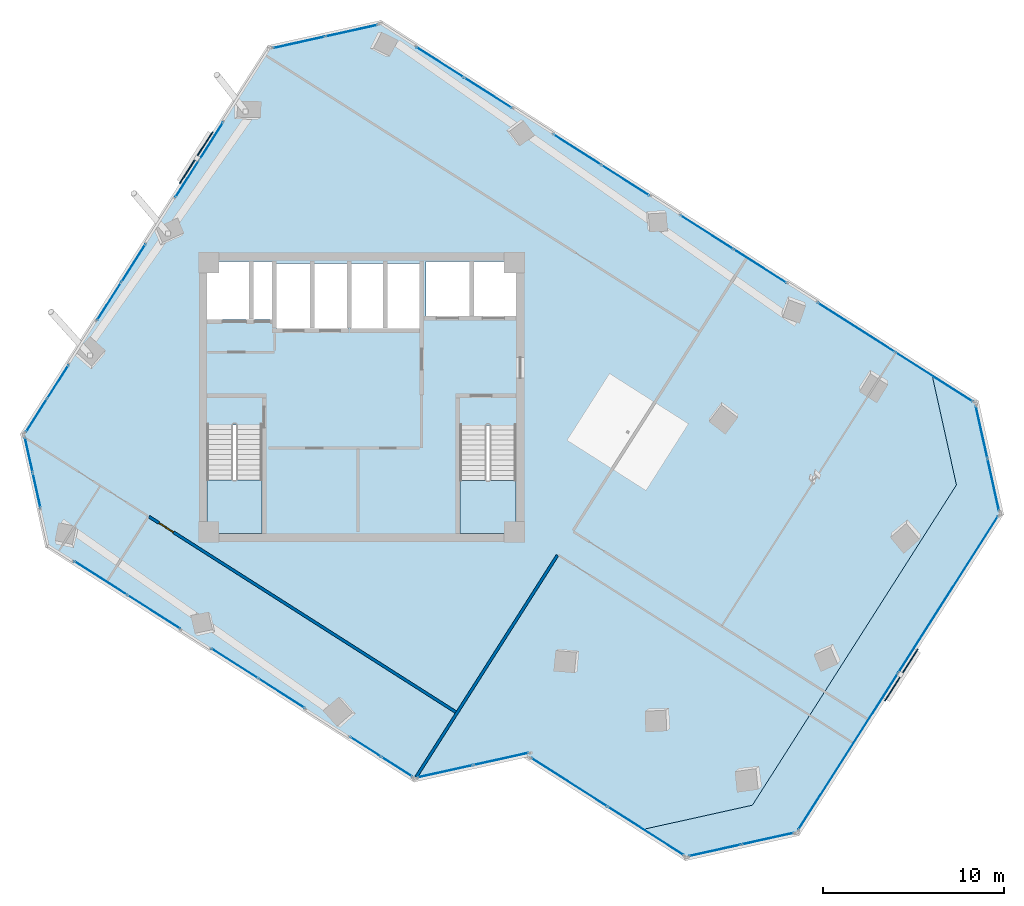
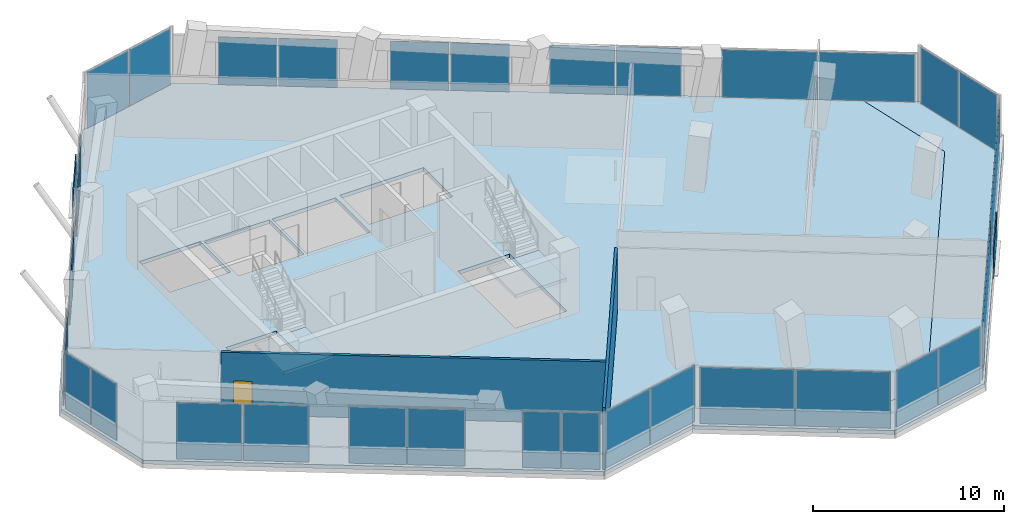
# One storey, part 17 of 24: 36 plates, 4 slabs, 2 walls, 1 door, 1 opening, 19 elements without a shape of their own.
"""IFC4 building model written with IfcOpenShell, lengths in metres."""

from ifc_helpers import new_model, si_unit, direction, frame, frame_2d, origin, origin_2d, place, context, subcontext, project, spatial, polyline, rectangle, outline, extrude, source, transform, mapped, material, layer, layer_set, type_object, element, fill, aggregate, save


model = new_model("IFC4")

# Units and contexts
model_context = context("Model", 3, precision=1e-05, world=origin(), true_north=direction((0.0, 1.0)))
body_context = subcontext(model_context, "Body", "Model", "MODEL_VIEW")
ifc_project = project(units=[si_unit("LENGTHUNIT", "METRE"), si_unit("AREAUNIT", "SQUARE_METRE"), si_unit("VOLUMEUNIT", "CUBIC_METRE"), si_unit("PLANEANGLEUNIT", "RADIAN"), si_unit("MASSUNIT", "GRAM", prefix="KILO")], contexts=[model_context])

# Site, building, storey
site_placement = place(None, origin())
site = spatial("IfcSite", under=ifc_project, at=site_placement, CompositionType="ELEMENT")
building_placement = place(site_placement, origin())
building = spatial("IfcBuilding", under=site, at=building_placement, Name="Torre Montelarca", CompositionType="ELEMENT")
storey_placement = place(building_placement, frame((0.0, 0.0, 191.800048828125)))
storey = spatial("IfcBuildingStorey", under=building, at=storey_placement, Name="L43", CompositionType="ELEMENT", Elevation=191.800048828125)

# Slabs
ifc_material_1 = material(Name="Concrete C40/50", Category="concrete")
ifc_layer_1 = layer(ifc_material_1, 0.239990234375, Name="Concrete C40/50", Category="concrete")
ifc_layer_set_1 = layer_set([ifc_layer_1], Name="Concrete C40/50")
slab_type_1 = type_object("IfcSlabType", Name="SL-FLR-240", PredefinedType="FLOOR", material=ifc_layer_set_1)
slab_1_placement = place(storey_placement, frame((0.0, 0.0, -0.239990234375)))
element("IfcSlab", 1, at=slab_1_placement, inside=storey, type_object=slab_type_1, Name="L43 Structural Floor Slab", PredefinedType="FLOOR", context=body_context, shape_type="SweptSolid", body=[
    extrude(outline(polyline([(20.9140625, 10.793701171875), (27.127197265625, 12.171142578125), (27.073486328125, 12.0869140625), (33.39892578125, 8.056884765625), (39.612060546875, 9.4345703125), (50.895263671875, 27.145751953125), (49.517822265625, 33.35888671875), (19.071533203125, 52.75537109375), (12.8583984375, 51.3779296875), (-0.7890625, 29.955810546875), (0.58837890625, 23.74267578125), (20.9140625, 10.793701171875)]), holes=[polyline([(26.550048828125, 24.449951171875), (23.43994140625, 24.449951171875), (23.43994140625, 30.429931640625), (26.550048828125, 30.429931640625), (26.550048828125, 24.449951171875)]), polyline([(9.449951171875, 24.449951171875), (9.449951171875, 30.4599609375), (12.5, 30.4599609375), (12.5, 24.449951171875), (9.449951171875, 24.449951171875)]), polyline([(17.25, 35.800048828125), (13.300048828125, 35.800048828125), (13.300048828125, 39.39990234375), (17.25, 39.39990234375), (17.25, 35.800048828125)]), polyline([(21.25, 39.39990234375), (21.25, 35.800048828125), (17.39990234375, 35.800048828125), (17.39990234375, 39.39990234375), (21.25, 39.39990234375)]), polyline([(13.1201171875, 36.300048828125), (9.449951171875, 36.300048828125), (9.449951171875, 39.5), (13.1201171875, 39.5), (13.1201171875, 36.300048828125)]), polyline([(26.60009765625, 36.449951171875), (21.550048828125, 36.449951171875), (21.550048828125, 39.5), (26.60009765625, 39.5), (26.60009765625, 36.449951171875)])]), origin(), (0.0, 0.0, 1.0), 0.239990234375),
])
slab_2_placement = place(storey_placement, frame((0.0, 0.0, -0.239990234375)))
element("IfcSlab", 2, at=slab_2_placement, inside=storey, type_object=slab_type_1, Name="L43 Sliding Tray Winter Garden Floor Slab E1", PredefinedType="FLOOR", context=body_context, shape_type="SweptSolid", body=[
    extrude(outline(polyline([(49.517822265625, 33.35888671875), (50.895263671875, 27.145751953125), (39.612060546875, 9.4345703125), (33.39892578125, 8.056884765625), (35.92919921875, 6.445068359375), (42.14208984375, 7.822509765625), (53.425537109375, 25.53369140625), (52.048095703125, 31.746826171875), (49.517822265625, 33.35888671875)])), origin(), (0.0, 0.0, 1.0), 0.239990234375),
])

# Stair, slab
stair_type_1 = type_object("IfcStairType", Name="ST-CORE-ST1", PredefinedType="HALF_TURN_STAIR", material=ifc_material_1)
stair_1_placement = place(storey_placement, origin())
stair_1 = element("IfcStair", 3, at=stair_1_placement, inside=storey, type_object=stair_type_1, Name="L43 Protected Exit Stair ST1", PredefinedType="HALF_TURN_STAIR")
ifc_layer_2 = layer(ifc_material_1, 0.199951171875, Name="Concrete C40/50", Category="concrete")
ifc_layer_set_2 = layer_set([ifc_layer_2], Name="Concrete C40/50")
slab_type_2 = type_object("IfcSlabType", Name="SL-ST-LAND-ST1", PredefinedType="LANDING", material=ifc_layer_set_2)
slab_3_placement = place(storey_placement, frame((0.0, 0.0, 1.89990234375)))
slab_3 = element("IfcSlab", 4, at=slab_3_placement, type_object=slab_type_2, Name="ST1 landing 1", PredefinedType="LANDING", context=body_context, shape_type="SweptSolid", body=[
    extrude(outline(polyline([(9.449951171875, 27.419921875), (9.449951171875, 24.449951171875), (12.5, 24.449951171875), (12.5, 27.419921875), (9.449951171875, 27.419921875)])), origin(), (0.0, 0.0, 1.0), 0.199951171875),
])
aggregate(stair_1, [slab_3])

stair_type_2 = type_object("IfcStairType", Name="ST-CORE-ST2", PredefinedType="HALF_TURN_STAIR", material=ifc_material_1)
stair_2_placement = place(storey_placement, origin())
stair_2 = element("IfcStair", 5, at=stair_2_placement, inside=storey, type_object=stair_type_2, Name="L43 Protected Exit Stair ST2", PredefinedType="HALF_TURN_STAIR")
ifc_layer_3 = layer(ifc_material_1, 0.199951171875, Name="Concrete C40/50", Category="concrete")
ifc_layer_set_3 = layer_set([ifc_layer_3], Name="Concrete C40/50")
slab_type_3 = type_object("IfcSlabType", Name="SL-ST-LAND-ST2", PredefinedType="LANDING", material=ifc_layer_set_3)
slab_4_placement = place(storey_placement, frame((0.0, 0.0, 1.89990234375)))
slab_4 = element("IfcSlab", 6, at=slab_4_placement, type_object=slab_type_3, Name="ST2 landing 1", PredefinedType="LANDING", context=body_context, shape_type="SweptSolid", body=[
    extrude(outline(polyline([(23.43994140625, 27.389892578125), (23.43994140625, 24.449951171875), (26.550048828125, 24.449951171875), (26.550048828125, 27.389892578125), (23.43994140625, 27.389892578125)])), origin(), (0.0, 0.0, 1.0), 0.199951171875),
])
aggregate(stair_2, [slab_4])

# Plates
ifc_material_2 = material(Name="Architectural perforated terracotta ceramic", Category="masonry")
ifc_layer_4 = layer(ifc_material_2, 0.074951171875, Name="Architectural perforated terracotta ceramic", Category="masonry")
ifc_layer_set_4 = layer_set([ifc_layer_4], Name="Architectural perforated terracotta ceramic")
plate_type_1 = type_object("IfcPlateType", Name="SCR-CER-75", PredefinedType="USERDEFINED", material=ifc_layer_set_4)
shared_shape_1 = source(origin(), body_context, "Body", "SweptSolid", [
    extrude(rectangle(XDim=3.39990234375, YDim=0.06005859375, at=origin_2d()), origin(), (0.0, 0.0, 1.0), 1.89990234375),
])
for number, where, z_axis, x_axis, name in (
    (7, (47.851318359375, 16.63525390625, 0.5), (0.0, 0.0, 1.0), (0.537299608347, 0.843391445813, 0.0), "L43 Perforated Ceramic Brise-Soleil Screen E6-1"),
    (8, (8.851318359375, 45.23681640625, 0.5), (0.0, 0.0, 1.0), (-0.53729813635, -0.843392383576, 0.0), "L43 Perforated Ceramic Brise-Soleil Screen E10-1"),
):
    element("IfcPlate", number, at=place(storey_placement, frame(where, z_axis=z_axis, x_axis=x_axis)), inside=storey, type_object=plate_type_1, Name=name, ObjectType="SOLAR SCREEN", PredefinedType="USERDEFINED", context=body_context, shape_type="MappedRepresentation", body=[
        mapped(shared_shape_1, transform((0.0, 0.0, 0.0), scale=1.0)),
    ])

# Curtain wall, plates
ifc_material_3 = material(Name="Insulated low-E laminated glass", Category="glass")
curtain_wall_type = type_object("IfcCurtainWallType", Name="CW-SYS-Z2", PredefinedType="USERDEFINED", material=ifc_material_3)
curtain_wall_1_placement = place(storey_placement, origin())
curtain_wall_1 = element("IfcCurtainWall", 9, at=curtain_wall_1_placement, inside=storey, type_object=curtain_wall_type, Name="L43 Curtain Wall Run CW-T3-L43-E05-B1", ObjectType="UNITISED GLAZING", PredefinedType="USERDEFINED")
ifc_layer_5 = layer(ifc_material_3, 0.031982421875, Name="Insulated low-E laminated glass", Category="glass")
ifc_layer_set_5 = layer_set([ifc_layer_5], Name="Insulated low-E laminated glass")
plate_type_2 = type_object("IfcPlateType", Name="CWP-GLZ-32", PredefinedType="CURTAIN_PANEL", material=ifc_layer_set_5)
shared_shape_2 = source(origin(), body_context, "Body", "SweptSolid", [
    extrude(rectangle(XDim=2.918701171875, YDim=0.031982421875, at=origin_2d()), origin(), (0.0, 0.0, 1.0), 3.590087890625),
])
plate_1_placement = place(storey_placement, frame((37.551025390625, 6.93798828125, 0.06494140625), z_axis=(0.0, 0.0, 1.0), x_axis=(0.976290701569, 0.216463544344, 0.0)))
plate_1 = element("IfcPlate", 10, at=plate_1_placement, type_object=plate_type_2, Name="CW panel 1.1", PredefinedType="CURTAIN_PANEL", context=body_context, shape_type="MappedRepresentation", body=[
    mapped(shared_shape_2, transform((0.0, 0.0, 0.0), scale=1.0)),
])
plate_2_placement = place(storey_placement, frame((40.4638671875, 7.583740234375, 0.06494140625), z_axis=(0.0, 0.0, 1.0), x_axis=(0.976290701569, 0.216463544344, 0.0)))
plate_2 = element("IfcPlate", 11, at=plate_2_placement, type_object=plate_type_2, Name="CW panel 2.1", PredefinedType="CURTAIN_PANEL", context=body_context, shape_type="MappedRepresentation", body=[
    mapped(shared_shape_2, transform((0.0, 0.0, 0.0), scale=1.0)),
])
aggregate(curtain_wall_1, [plate_1, plate_2])

curtain_wall_2_placement = place(storey_placement, origin())
curtain_wall_2 = element("IfcCurtainWall", 12, at=curtain_wall_2_placement, inside=storey, type_object=curtain_wall_type, Name="L43 Curtain Wall Run CW-T3-L43-E07-B1", ObjectType="UNITISED GLAZING", PredefinedType="USERDEFINED")
plate_3_placement = place(storey_placement, frame((52.932861328125, 27.15576171875, 0.06494140625), z_axis=(0.0, 0.0, 1.0), x_axis=(-0.216447743923, 0.97629420471, 0.0)))
plate_3 = element("IfcPlate", 13, at=plate_3_placement, type_object=plate_type_2, Name="CW panel 1.1", PredefinedType="CURTAIN_PANEL", context=body_context, shape_type="MappedRepresentation", body=[
    mapped(shared_shape_2, transform((0.0, 0.0, 0.0), scale=1.0)),
])
plate_4_placement = place(storey_placement, frame((52.286865234375, 30.068603515625, 0.06494140625), z_axis=(0.0, 0.0, 1.0), x_axis=(-0.216447743923, 0.97629420471, 0.0)))
plate_4 = element("IfcPlate", 14, at=plate_4_placement, type_object=plate_type_2, Name="CW panel 2.1", PredefinedType="CURTAIN_PANEL", context=body_context, shape_type="MappedRepresentation", body=[
    mapped(shared_shape_2, transform((0.0, 0.0, 0.0), scale=1.0)),
])
aggregate(curtain_wall_2, [plate_3, plate_4])

curtain_wall_3_placement = place(storey_placement, origin())
curtain_wall_3 = element("IfcCurtainWall", 15, at=curtain_wall_3_placement, inside=storey, type_object=curtain_wall_type, Name="L43 Curtain Wall Run CW-T3-L43-E09-B1", ObjectType="UNITISED GLAZING", PredefinedType="USERDEFINED")
plate_5_placement = place(storey_placement, frame((17.44970703125, 52.262451171875, 0.06494140625), z_axis=(0.0, 0.0, 1.0), x_axis=(-0.97629420471, -0.216447743923, 0.0)))
plate_5 = element("IfcPlate", 16, at=plate_5_placement, type_object=plate_type_2, Name="CW panel 1.1", PredefinedType="CURTAIN_PANEL", context=body_context, shape_type="MappedRepresentation", body=[
    mapped(shared_shape_2, transform((0.0, 0.0, 0.0), scale=1.0)),
])
plate_6_placement = place(storey_placement, frame((14.53662109375, 51.61669921875, 0.06494140625), z_axis=(0.0, 0.0, 1.0), x_axis=(-0.97629420471, -0.216447743923, 0.0)))
plate_6 = element("IfcPlate", 17, at=plate_6_placement, type_object=plate_type_2, Name="CW panel 2.1", PredefinedType="CURTAIN_PANEL", context=body_context, shape_type="MappedRepresentation", body=[
    mapped(shared_shape_2, transform((0.0, 0.0, 0.0), scale=1.0)),
])
aggregate(curtain_wall_3, [plate_5, plate_6])

curtain_wall_4_placement = place(storey_placement, origin())
curtain_wall_4 = element("IfcCurtainWall", 18, at=curtain_wall_4_placement, inside=storey, type_object=curtain_wall_type, Name="L43 Curtain Wall Run CW-T3-L43-E02-B1", ObjectType="UNITISED GLAZING", PredefinedType="USERDEFINED")
shared_shape_3 = source(origin(), body_context, "Body", "SweptSolid", [
    extrude(rectangle(XDim=3.1025390625, YDim=0.031982421875, at=origin_2d()), origin(), (0.0, 0.0, 1.0), 3.590087890625),
])
plate_7_placement = place(storey_placement, frame((22.625732421875, 11.306396484375, 0.06494140625), z_axis=(0.0, 0.0, 1.0), x_axis=(0.976297226407, 0.216434114018, 0.0)))
plate_7 = element("IfcPlate", 19, at=plate_7_placement, type_object=plate_type_2, Name="CW panel 1.1", PredefinedType="CURTAIN_PANEL", context=body_context, shape_type="MappedRepresentation", body=[
    mapped(shared_shape_3, transform((0.0, 0.0, 0.0), scale=1.0)),
])
plate_8_placement = place(storey_placement, frame((25.71826171875, 11.991943359375, 0.06494140625), z_axis=(0.0, 0.0, 1.0), x_axis=(0.976297226407, 0.216434114018, 0.0)))
plate_8 = element("IfcPlate", 20, at=plate_8_placement, type_object=plate_type_2, Name="CW panel 2.1", PredefinedType="CURTAIN_PANEL", context=body_context, shape_type="MappedRepresentation", body=[
    mapped(shared_shape_3, transform((0.0, 0.0, 0.0), scale=1.0)),
])
aggregate(curtain_wall_4, [plate_7, plate_8])

curtain_wall_5_placement = place(storey_placement, origin())
curtain_wall_5 = element("IfcCurtainWall", 21, at=curtain_wall_5_placement, inside=storey, type_object=curtain_wall_type, Name="L43 Curtain Wall Run CW-T3-L43-E01-B3", ObjectType="UNITISED GLAZING", PredefinedType="USERDEFINED")
shared_shape_4 = source(origin(), body_context, "Body", "SweptSolid", [
    extrude(rectangle(XDim=1.9921875, YDim=0.031982421875, at=origin_2d()), origin(), (0.0, 0.0, 1.0), 3.590087890625),
])
plate_9_placement = place(storey_placement, frame((18.21435546875, 12.667724609375, 0.06494140625), z_axis=(0.0, 0.0, 1.0), x_axis=(0.843389445077, -0.537302748861, 0.0)))
plate_9 = element("IfcPlate", 22, at=plate_9_placement, type_object=plate_type_2, Name="CW panel 1.1", PredefinedType="CURTAIN_PANEL", context=body_context, shape_type="MappedRepresentation", body=[
    mapped(shared_shape_4, transform((0.0, 0.0, 0.0), scale=1.0)),
])
plate_10_placement = place(storey_placement, frame((19.94921875, 11.5625, 0.06494140625), z_axis=(0.0, 0.0, 1.0), x_axis=(0.843389445077, -0.537302748861, 0.0)))
plate_10 = element("IfcPlate", 23, at=plate_10_placement, type_object=plate_type_2, Name="CW panel 2.1", PredefinedType="CURTAIN_PANEL", context=body_context, shape_type="MappedRepresentation", body=[
    mapped(shared_shape_4, transform((0.0, 0.0, 0.0), scale=1.0)),
])
aggregate(curtain_wall_5, [plate_9, plate_10])

curtain_wall_6_placement = place(storey_placement, origin())
curtain_wall_6 = element("IfcCurtainWall", 24, at=curtain_wall_6_placement, inside=storey, type_object=curtain_wall_type, Name="L43 Curtain Wall Run CW-T3-L43-E06-B1", ObjectType="UNITISED GLAZING", PredefinedType="USERDEFINED")
shared_shape_5 = source(origin(), body_context, "Body", "SweptSolid", [
    extrude(rectangle(XDim=10.23681640625, YDim=0.031982421875, at=origin_2d()), origin(), (0.0, 0.0, 1.0), 3.590087890625),
])
plate_11_placement = place(storey_placement, frame((44.90673828125, 12.40380859375, 0.06494140625), z_axis=(0.0, 0.0, 1.0), x_axis=(0.53730338538, 0.843389039566, 0.0)))
plate_11 = element("IfcPlate", 25, at=plate_11_placement, type_object=plate_type_2, Name="CW panel 1.1", PredefinedType="CURTAIN_PANEL", context=body_context, shape_type="MappedRepresentation", body=[
    mapped(shared_shape_5, transform((0.0, 0.0, 0.0), scale=1.0)),
])
plate_12_placement = place(storey_placement, frame((50.441650390625, 21.09228515625, 0.06494140625), z_axis=(0.0, 0.0, 1.0), x_axis=(0.53730338538, 0.843389039566, 0.0)))
plate_12 = element("IfcPlate", 26, at=plate_12_placement, type_object=plate_type_2, Name="CW panel 2.1", PredefinedType="CURTAIN_PANEL", context=body_context, shape_type="MappedRepresentation", body=[
    mapped(shared_shape_5, transform((0.0, 0.0, 0.0), scale=1.0)),
])
aggregate(curtain_wall_6, [plate_11, plate_12])

curtain_wall_7_placement = place(storey_placement, origin())
curtain_wall_7 = element("IfcCurtainWall", 27, at=curtain_wall_7_placement, inside=storey, type_object=curtain_wall_type, Name="L43 Curtain Wall Run CW-T3-L43-E01-B1", ObjectType="UNITISED GLAZING", PredefinedType="USERDEFINED")
shared_shape_6 = source(origin(), body_context, "Body", "SweptSolid", [
    extrude(rectangle(XDim=3.42236328125, YDim=0.031982421875, at=origin_2d()), origin(), (0.0, 0.0, 1.0), 3.590087890625),
])
plate_13_placement = place(storey_placement, frame((3.5732421875, 21.9951171875, 0.06494140625), z_axis=(0.0, 0.0, 1.0), x_axis=(0.843387645866, -0.537305573022, 0.0)))
plate_13 = element("IfcPlate", 28, at=plate_13_placement, type_object=plate_type_2, Name="CW panel 1.1", PredefinedType="CURTAIN_PANEL", context=body_context, shape_type="MappedRepresentation", body=[
    mapped(shared_shape_6, transform((0.0, 0.0, 0.0), scale=1.0)),
])
plate_14_placement = place(storey_placement, frame((6.5146484375, 20.121337890625, 0.06494140625), z_axis=(0.0, 0.0, 1.0), x_axis=(0.843387645866, -0.537305573022, 0.0)))
plate_14 = element("IfcPlate", 29, at=plate_14_placement, type_object=plate_type_2, Name="CW panel 2.1", PredefinedType="CURTAIN_PANEL", context=body_context, shape_type="MappedRepresentation", body=[
    mapped(shared_shape_6, transform((0.0, 0.0, 0.0), scale=1.0)),
])
aggregate(curtain_wall_7, [plate_13, plate_14])

curtain_wall_8_placement = place(storey_placement, origin())
curtain_wall_8 = element("IfcCurtainWall", 30, at=curtain_wall_8_placement, inside=storey, type_object=curtain_wall_type, Name="L43 Curtain Wall Run CW-T3-L43-E11-B1", ObjectType="UNITISED GLAZING", PredefinedType="USERDEFINED")
shared_shape_7 = source(origin(), body_context, "Body", "SweptSolid", [
    extrude(rectangle(XDim=1.94580078125, YDim=0.031982421875, at=origin_2d()), origin(), (0.0, 0.0, 1.0), 3.590087890625),
])
plate_15_placement = place(storey_placement, frame((-0.401611328125, 28.80859375, 0.06494140625), z_axis=(0.0, 0.0, 1.0), x_axis=(0.216453716178, -0.976292880622, 0.0)))
plate_15 = element("IfcPlate", 31, at=plate_15_placement, type_object=plate_type_2, Name="CW panel 1.1", PredefinedType="CURTAIN_PANEL", context=body_context, shape_type="MappedRepresentation", body=[
    mapped(shared_shape_7, transform((0.0, 0.0, 0.0), scale=1.0)),
])
plate_16_placement = place(storey_placement, frame((0.03369140625, 26.845458984375, 0.06494140625), z_axis=(0.0, 0.0, 1.0), x_axis=(0.216453716178, -0.976292880622, 0.0)))
plate_16 = element("IfcPlate", 32, at=plate_16_placement, type_object=plate_type_2, Name="CW panel 2.1", PredefinedType="CURTAIN_PANEL", context=body_context, shape_type="MappedRepresentation", body=[
    mapped(shared_shape_7, transform((0.0, 0.0, 0.0), scale=1.0)),
])
aggregate(curtain_wall_8, [plate_15, plate_16])

curtain_wall_9_placement = place(storey_placement, origin())
curtain_wall_9 = element("IfcCurtainWall", 33, at=curtain_wall_9_placement, inside=storey, type_object=curtain_wall_type, Name="L43 Curtain Wall Run CW-T3-L43-E01-B2", ObjectType="UNITISED GLAZING", PredefinedType="USERDEFINED")
shared_shape_8 = source(origin(), body_context, "Body", "SweptSolid", [
    extrude(rectangle(XDim=3.00732421875, YDim=0.031982421875, at=origin_2d()), origin(), (0.0, 0.0, 1.0), 3.590087890625),
])
plate_17_placement = place(storey_placement, frame((10.98876953125, 17.27099609375, 0.06494140625), z_axis=(0.0, 0.0, 1.0), x_axis=(0.843386844968, -0.537306830159, 0.0)))
plate_17 = element("IfcPlate", 34, at=plate_17_placement, type_object=plate_type_2, Name="CW panel 1.1", PredefinedType="CURTAIN_PANEL", context=body_context, shape_type="MappedRepresentation", body=[
    mapped(shared_shape_8, transform((0.0, 0.0, 0.0), scale=1.0)),
])
plate_18_placement = place(storey_placement, frame((13.579833984375, 15.620361328125, 0.06494140625), z_axis=(0.0, 0.0, 1.0), x_axis=(0.843386844968, -0.537306830159, 0.0)))
plate_18 = element("IfcPlate", 35, at=plate_18_placement, type_object=plate_type_2, Name="CW panel 2.1", PredefinedType="CURTAIN_PANEL", context=body_context, shape_type="MappedRepresentation", body=[
    mapped(shared_shape_8, transform((0.0, 0.0, 0.0), scale=1.0)),
])
aggregate(curtain_wall_9, [plate_17, plate_18])

curtain_wall_10_placement = place(storey_placement, origin())
curtain_wall_10 = element("IfcCurtainWall", 36, at=curtain_wall_10_placement, inside=storey, type_object=curtain_wall_type, Name="L43 Curtain Wall Run CW-T3-L43-E08-B2", ObjectType="UNITISED GLAZING", PredefinedType="USERDEFINED")
shared_shape_9 = source(origin(), body_context, "Body", "SweptSolid", [
    extrude(rectangle(XDim=3.422607421875, YDim=0.031982421875, at=origin_2d()), origin(), (0.0, 0.0, 1.0), 3.044921875),
])
plate_19_placement = place(storey_placement, frame((40.0390625, 39.243408203125, 0.06494140625), z_axis=(0.0, 0.0, 1.0), x_axis=(-0.843391746638, 0.537299136145, 0.0)))
plate_19 = element("IfcPlate", 37, at=plate_19_placement, type_object=plate_type_2, Name="CW panel 1.1", PredefinedType="CURTAIN_PANEL", context=body_context, shape_type="MappedRepresentation", body=[
    mapped(shared_shape_9, transform((0.0, 0.0, 0.0), scale=1.0)),
])
plate_20_placement = place(storey_placement, frame((37.09765625, 41.1171875, 0.06494140625), z_axis=(0.0, 0.0, 1.0), x_axis=(-0.843391746638, 0.537299136145, 0.0)))
plate_20 = element("IfcPlate", 38, at=plate_20_placement, type_object=plate_type_2, Name="CW panel 2.1", PredefinedType="CURTAIN_PANEL", context=body_context, shape_type="MappedRepresentation", body=[
    mapped(shared_shape_9, transform((0.0, 0.0, 0.0), scale=1.0)),
])
aggregate(curtain_wall_10, [plate_19, plate_20])

curtain_wall_11_placement = place(storey_placement, origin())
curtain_wall_11 = element("IfcCurtainWall", 39, at=curtain_wall_11_placement, inside=storey, type_object=curtain_wall_type, Name="L43 Curtain Wall Run CW-T3-L43-E08-B3", ObjectType="UNITISED GLAZING", PredefinedType="USERDEFINED")
shared_shape_10 = source(origin(), body_context, "Body", "SweptSolid", [
    extrude(rectangle(XDim=3.09033203125, YDim=0.031982421875, at=origin_2d()), origin(), (0.0, 0.0, 1.0), 3.044921875),
])
plate_21_placement = place(storey_placement, frame((32.58837890625, 43.98974609375, 0.06494140625), z_axis=(0.0, 0.0, 1.0), x_axis=(-0.843392718995, 0.537297609846, 0.0)))
plate_21 = element("IfcPlate", 40, at=plate_21_placement, type_object=plate_type_2, Name="CW panel 1.1", PredefinedType="CURTAIN_PANEL", context=body_context, shape_type="MappedRepresentation", body=[
    mapped(shared_shape_10, transform((0.0, 0.0, 0.0), scale=1.0)),
])
plate_22_placement = place(storey_placement, frame((29.92724609375, 45.685302734375, 0.06494140625), z_axis=(0.0, 0.0, 1.0), x_axis=(-0.843392718995, 0.537297609846, 0.0)))
plate_22 = element("IfcPlate", 41, at=plate_22_placement, type_object=plate_type_2, Name="CW panel 2.1", PredefinedType="CURTAIN_PANEL", context=body_context, shape_type="MappedRepresentation", body=[
    mapped(shared_shape_10, transform((0.0, 0.0, 0.0), scale=1.0)),
])
aggregate(curtain_wall_11, [plate_21, plate_22])

curtain_wall_12_placement = place(storey_placement, origin())
curtain_wall_12 = element("IfcCurtainWall", 42, at=curtain_wall_12_placement, inside=storey, type_object=curtain_wall_type, Name="L43 Curtain Wall Run CW-T3-L43-E08-B4", ObjectType="UNITISED GLAZING", PredefinedType="USERDEFINED")
shared_shape_11 = source(origin(), body_context, "Body", "SweptSolid", [
    extrude(rectangle(XDim=3.086181640625, YDim=0.031982421875, at=origin_2d()), origin(), (0.0, 0.0, 1.0), 3.044921875),
])
plate_23_placement = place(storey_placement, frame((24.999755859375, 48.824462890625, 0.06494140625), z_axis=(0.0, 0.0, 1.0), x_axis=(-0.84338653566, 0.537307315665, 0.0)))
plate_23 = element("IfcPlate", 43, at=plate_23_placement, type_object=plate_type_2, Name="CW panel 1.1", PredefinedType="CURTAIN_PANEL", context=body_context, shape_type="MappedRepresentation", body=[
    mapped(shared_shape_11, transform((0.0, 0.0, 0.0), scale=1.0)),
])
plate_24_placement = place(storey_placement, frame((22.342041015625, 50.517578125, 0.06494140625), z_axis=(0.0, 0.0, 1.0), x_axis=(-0.84338653566, 0.537307315665, 0.0)))
plate_24 = element("IfcPlate", 44, at=plate_24_placement, type_object=plate_type_2, Name="CW panel 2.1", PredefinedType="CURTAIN_PANEL", context=body_context, shape_type="MappedRepresentation", body=[
    mapped(shared_shape_11, transform((0.0, 0.0, 0.0), scale=1.0)),
])
aggregate(curtain_wall_12, [plate_23, plate_24])

curtain_wall_13_placement = place(storey_placement, origin())
curtain_wall_13 = element("IfcCurtainWall", 45, at=curtain_wall_13_placement, inside=storey, type_object=curtain_wall_type, Name="L43 Curtain Wall Run CW-T3-L43-E04-B1", ObjectType="UNITISED GLAZING", PredefinedType="USERDEFINED")
shared_shape_12 = source(origin(), body_context, "Body", "SweptSolid", [
    extrude(rectangle(XDim=4.94873046875, YDim=0.031982421875, at=origin_2d()), origin(), (0.0, 0.0, 1.0), 3.590087890625),
])
plate_25_placement = place(storey_placement, frame((29.489013671875, 10.7021484375, 0.06494140625), z_axis=(0.0, 0.0, 1.0), x_axis=(0.843384752771, -0.537310114174, 0.0)))
plate_25 = element("IfcPlate", 46, at=plate_25_placement, type_object=plate_type_2, Name="CW panel 1.1", PredefinedType="CURTAIN_PANEL", context=body_context, shape_type="MappedRepresentation", body=[
    mapped(shared_shape_12, transform((0.0, 0.0, 0.0), scale=1.0)),
])
plate_26_placement = place(storey_placement, frame((33.717529296875, 8.00830078125, 0.06494140625), z_axis=(0.0, 0.0, 1.0), x_axis=(0.843384752771, -0.537310114174, 0.0)))
plate_26 = element("IfcPlate", 47, at=plate_26_placement, type_object=plate_type_2, Name="CW panel 2.1", PredefinedType="CURTAIN_PANEL", context=body_context, shape_type="MappedRepresentation", body=[
    mapped(shared_shape_12, transform((0.0, 0.0, 0.0), scale=1.0)),
])
aggregate(curtain_wall_13, [plate_25, plate_26])

curtain_wall_14_placement = place(storey_placement, origin())
curtain_wall_14 = element("IfcCurtainWall", 48, at=curtain_wall_14_placement, inside=storey, type_object=curtain_wall_type, Name="L43 Curtain Wall Run CW-T3-L43-E08-B1", ObjectType="UNITISED GLAZING", PredefinedType="USERDEFINED")
shared_shape_13 = source(origin(), body_context, "Body", "SweptSolid", [
    extrude(rectangle(XDim=5.029541015625, YDim=0.031982421875, at=origin_2d()), origin(), (0.0, 0.0, 1.0), 3.044921875),
])
plate_27_placement = place(storey_placement, frame((49.66259765625, 33.112548828125, 0.06494140625), z_axis=(0.0, 0.0, 1.0), x_axis=(-0.843390329365, 0.537301360815, 0.0)))
plate_27 = element("IfcPlate", 49, at=plate_27_placement, type_object=plate_type_2, Name="CW panel 1.1", PredefinedType="CURTAIN_PANEL", context=body_context, shape_type="MappedRepresentation", body=[
    mapped(shared_shape_13, transform((0.0, 0.0, 0.0), scale=1.0)),
])
plate_28_placement = place(storey_placement, frame((45.365966796875, 35.849853515625, 0.06494140625), z_axis=(0.0, 0.0, 1.0), x_axis=(-0.843390329365, 0.537301360815, 0.0)))
plate_28 = element("IfcPlate", 50, at=plate_28_placement, type_object=plate_type_2, Name="CW panel 2.1", PredefinedType="CURTAIN_PANEL", context=body_context, shape_type="MappedRepresentation", body=[
    mapped(shared_shape_13, transform((0.0, 0.0, 0.0), scale=1.0)),
])
aggregate(curtain_wall_14, [plate_27, plate_28])

curtain_wall_15_placement = place(storey_placement, origin())
curtain_wall_15 = element("IfcCurtainWall", 51, at=curtain_wall_15_placement, inside=storey, type_object=curtain_wall_type, Name="L43 Curtain Wall Run CW-T3-L43-E10-B1", ObjectType="UNITISED GLAZING", PredefinedType="USERDEFINED")
shared_shape_14 = source(origin(), body_context, "Body", "SweptSolid", [
    extrude(rectangle(XDim=2.405029296875, YDim=0.031982421875, at=origin_2d()), origin(), (0.0, 0.0, 1.0), 3.044921875),
])
plate_29_placement = place(storey_placement, frame((9.69189453125, 46.16552734375, 0.06494140625), z_axis=(0.0, 0.0, 1.0), x_axis=(-0.537308522458, -0.843385766831, 0.0)))
plate_29 = element("IfcPlate", 52, at=plate_29_placement, type_object=plate_type_2, Name="CW panel 1.1", PredefinedType="CURTAIN_PANEL", context=body_context, shape_type="MappedRepresentation", body=[
    mapped(shared_shape_14, transform((0.0, 0.0, 0.0), scale=1.0)),
])
plate_30_placement = place(storey_placement, frame((8.36474609375, 44.082275390625, 0.06494140625), z_axis=(0.0, 0.0, 1.0), x_axis=(-0.537308522458, -0.843385766831, 0.0)))
plate_30 = element("IfcPlate", 53, at=plate_30_placement, type_object=plate_type_2, Name="CW panel 2.1", PredefinedType="CURTAIN_PANEL", context=body_context, shape_type="MappedRepresentation", body=[
    mapped(shared_shape_14, transform((0.0, 0.0, 0.0), scale=1.0)),
])
aggregate(curtain_wall_15, [plate_29, plate_30])

curtain_wall_16_placement = place(storey_placement, origin())
curtain_wall_16 = element("IfcCurtainWall", 54, at=curtain_wall_16_placement, inside=storey, type_object=curtain_wall_type, Name="L43 Curtain Wall Run CW-T3-L43-E10-B2", ObjectType="UNITISED GLAZING", PredefinedType="USERDEFINED")
shared_shape_15 = source(origin(), body_context, "Body", "SweptSolid", [
    extrude(rectangle(XDim=2.438720703125, YDim=0.031982421875, at=origin_2d()), origin(), (0.0, 0.0, 1.0), 3.044921875),
])
plate_31_placement = place(storey_placement, frame((5.384521484375, 39.404052734375, 0.06494140625), z_axis=(0.0, 0.0, 1.0), x_axis=(-0.537301490851, -0.843390246522, 0.0)))
plate_31 = element("IfcPlate", 55, at=plate_31_placement, type_object=plate_type_2, Name="CW panel 1.1", PredefinedType="CURTAIN_PANEL", context=body_context, shape_type="MappedRepresentation", body=[
    mapped(shared_shape_15, transform((0.0, 0.0, 0.0), scale=1.0)),
])
plate_32_placement = place(storey_placement, frame((4.0390625, 37.29248046875, 0.06494140625), z_axis=(0.0, 0.0, 1.0), x_axis=(-0.537301490851, -0.843390246522, 0.0)))
plate_32 = element("IfcPlate", 56, at=plate_32_placement, type_object=plate_type_2, Name="CW panel 2.1", PredefinedType="CURTAIN_PANEL", context=body_context, shape_type="MappedRepresentation", body=[
    mapped(shared_shape_15, transform((0.0, 0.0, 0.0), scale=1.0)),
])
aggregate(curtain_wall_16, [plate_31, plate_32])

curtain_wall_17_placement = place(storey_placement, origin())
curtain_wall_17 = element("IfcCurtainWall", 57, at=curtain_wall_17_placement, inside=storey, type_object=curtain_wall_type, Name="L43 Curtain Wall Run CW-T3-L43-E10-B3", ObjectType="UNITISED GLAZING", PredefinedType="USERDEFINED")
shared_shape_16 = source(origin(), body_context, "Body", "SweptSolid", [
    extrude(rectangle(XDim=2.14208984375, YDim=0.031982421875, at=origin_2d()), origin(), (0.0, 0.0, 1.0), 3.044921875),
])
plate_33_placement = place(storey_placement, frame((1.2060546875, 32.845458984375, 0.06494140625), z_axis=(0.0, 0.0, 1.0), x_axis=(-0.537295792178, -0.843393876969, 0.0)))
plate_33 = element("IfcPlate", 58, at=plate_33_placement, type_object=plate_type_2, Name="CW panel 1.1", PredefinedType="CURTAIN_PANEL", context=body_context, shape_type="MappedRepresentation", body=[
    mapped(shared_shape_16, transform((0.0, 0.0, 0.0), scale=1.0)),
])
plate_34_placement = place(storey_placement, frame((0.02001953125, 30.98388671875, 0.06494140625), z_axis=(0.0, 0.0, 1.0), x_axis=(-0.537295792178, -0.843393876969, 0.0)))
plate_34 = element("IfcPlate", 59, at=plate_34_placement, type_object=plate_type_2, Name="CW panel 2.1", PredefinedType="CURTAIN_PANEL", context=body_context, shape_type="MappedRepresentation", body=[
    mapped(shared_shape_16, transform((0.0, 0.0, 0.0), scale=1.0)),
])
aggregate(curtain_wall_17, [plate_33, plate_34])

# Wall, opening, door
ifc_material_4 = material(Name="Gypsum plasterboard on steel stud", Category="steel")
ifc_layer_6 = layer(ifc_material_4, 0.159912109375, Name="Gypsum plasterboard on steel stud", Category="steel")
ifc_layer_set_6 = layer_set([ifc_layer_6], Name="Gypsum plasterboard on steel stud")
wall_type = type_object("IfcWallType", Name="PW-FIRE-160", PredefinedType="PARTITIONING", material=ifc_layer_set_6)
wall_1_placement = place(storey_placement, frame((6.24951171875, 25.388916015625, 0.0), z_axis=(0.0, 0.0, 1.0), x_axis=(0.843390478307, -0.537301127024, 0.0)))
wall_1 = element("IfcWall", 60, at=wall_1_placement, inside=storey, type_object=wall_type, Name="L43 Interior Partition W-L43-SOCCN", PredefinedType="PARTITIONING", context=body_context, shape_type="SweptSolid", body=[
    extrude(rectangle(XDim=20.150146484375, YDim=0.159912109375, at=frame_2d((10.0751953125, 0.0))), origin(), (0.0, 0.0, 1.0), 3.9599609375),
])
opening_placement = place(wall_1_placement, frame((0.64990234375, 0.0, 0.0)))
opening = element("IfcOpeningElement", 61, at=opening_placement, cuts=wall_1, Name="Opening FD-095", PredefinedType="OPENING", context=body_context, shape_type="SweptSolid", body=[
    extrude(rectangle(XDim=0.949951171875, YDim=2.14990234375, at=frame_2d((0.47509765625, 1.074951171875))), frame((0.0, 0.08984375, 0.0), z_axis=(0.0, -1.0, 0.0), x_axis=(1.0, 0.0, 0.0)), (0.0, 0.0, 1.0), 0.179931640625),
])
ifc_material_5 = material(Name="Timber fire-rated room door", Category="wood")
door_type = type_object("IfcDoorType", Name="DR-FIRE-095", OperationType="NOTDEFINED", PredefinedType="DOOR", material=ifc_material_5)
shared_shape_17 = source(origin(), body_context, "Body", "SweptSolid", [
    extrude(rectangle(XDim=0.949951171875, YDim=2.14990234375, at=frame_2d((0.47509765625, 1.074951171875))), frame((0.0, 0.02490234375, 0.0), z_axis=(0.0, -1.0, 0.0), x_axis=(1.0, 0.0, 0.0)), (0.0, 0.0, 1.0), 0.050048828125),
])
door_placement = place(opening_placement, origin())
door = element("IfcDoor", 62, at=door_placement, inside=storey, type_object=door_type, Name="L43 Interior Door 06", OperationType="SINGLE_SWING_RIGHT", OverallHeight=2.14990234375, OverallWidth=0.949951171875, PredefinedType="DOOR", context=body_context, shape_type="MappedRepresentation", body=[
    mapped(shared_shape_17, transform((0.0, 0.0, 0.0), scale=1.0)),
])
fill(opening, door)

# Wall
wall_2_placement = place(storey_placement, frame((21.014404296875, 10.98828125, 0.0), z_axis=(0.0, 0.0, 1.0), x_axis=(0.537301260837, 0.843390393058, 0.0)))
element("IfcWall", 63, at=wall_2_placement, inside=storey, type_object=wall_type, Name="L43 Interior Partition W-L43-ECS", PredefinedType="PARTITIONING", context=body_context, shape_type="SweptSolid", body=[
    extrude(rectangle(XDim=14.5419921875, YDim=0.159912109375, at=frame_2d((7.27099609375, 0.0))), origin(), (0.0, 0.0, 1.0), 3.9599609375),
])

save(model, "model.ifc")
